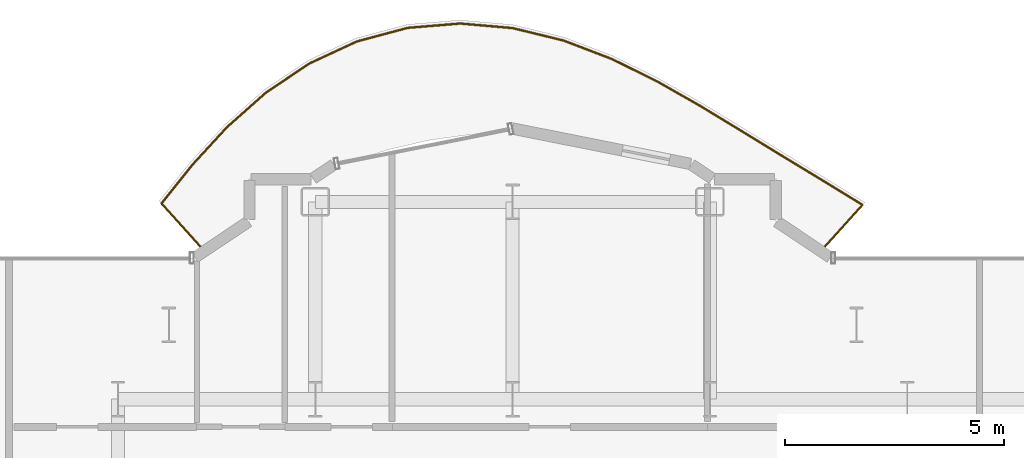
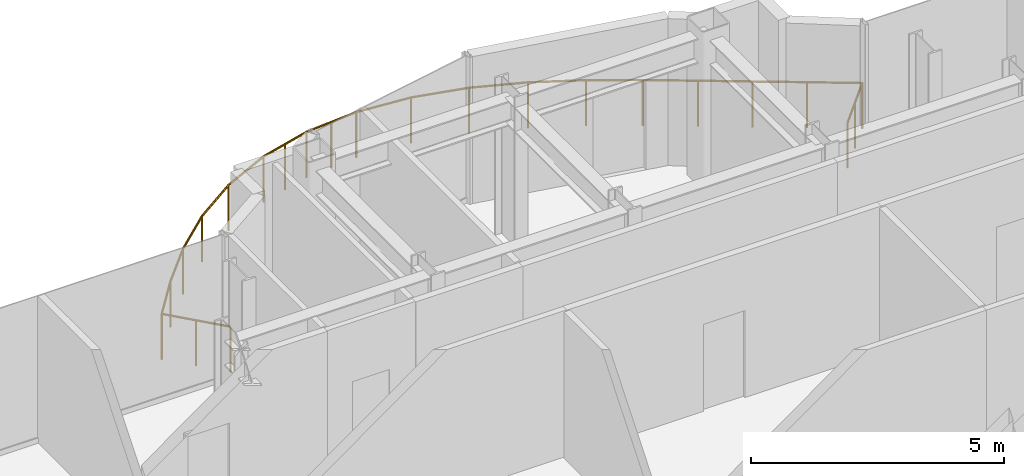
# One storey, part 21 of 21: 1 railing.
"""IFC4 building model written with IfcOpenShell, lengths in metres."""

from ifc_helpers import new_model, si_unit, direction, frame, origin, origin_2d, place, context, subcontext, project, spatial, circle, extrude, material, type_object, element, save


model = new_model("IFC4")

# Units and contexts
model_context = context("Model", 3, precision=1e-05, world=origin(), true_north=direction((0.0, 1.0)))
body_context = subcontext(model_context, "Body", "Model", "MODEL_VIEW")
ifc_project = project(units=[si_unit("LENGTHUNIT", "METRE"), si_unit("AREAUNIT", "SQUARE_METRE"), si_unit("VOLUMEUNIT", "CUBIC_METRE"), si_unit("PLANEANGLEUNIT", "RADIAN"), si_unit("MASSUNIT", "GRAM", prefix="KILO")], contexts=[model_context])

# Site, building, storey
site_placement = place(None, origin())
site = spatial("IfcSite", under=ifc_project, at=site_placement, CompositionType="ELEMENT")
building_placement = place(site_placement, origin())
building = spatial("IfcBuilding", under=site, at=building_placement, Name="Nefas-Gora Pilgrimage Tower", CompositionType="ELEMENT")
storey_placement = place(building_placement, frame((0.0, 0.0, 248.39990234375)))
storey = spatial("IfcBuildingStorey", under=building, at=storey_placement, Name="L62", CompositionType="ELEMENT", Elevation=248.39990234375)

# Railing
ifc_material = material(Name="Laminated safety glass and stainless steel", Category="steel")
railing_type = type_object("IfcRailingType", Name="RLG-BAL-1100", PredefinedType="BALUSTRADE", material=ifc_material)
railing_placement = place(storey_placement, frame((4.802490234375, 21.402587890625, 0.0)))
element("IfcRailing", 1, at=railing_placement, inside=storey, type_object=railing_type, Name="L62 Wave Balcony Balustrade N1", PredefinedType="BALUSTRADE", context=body_context, shape_type="SweptSolid", body=[
    extrude(circle(Radius=0.02392578125, at=origin_2d()), frame((0.0, 0.0, 1.09619140625), z_axis=(0.669217868333, 0.743066245165, 0.0), x_axis=(-0.743066245165, 0.669217868333, 0.0)), (0.0, 0.0, 1.0), 1.38525390625),
    extrude(circle(Radius=0.02392578125, at=origin_2d()), frame((0.927001953125, 1.029296875, 1.09619140625), z_axis=(-0.852658885571, 0.522468013238, 0.0), x_axis=(-0.522468013238, -0.852658885571, 0.0)), (0.0, 0.0, 1.0), 1.095703125),
    extrude(circle(Radius=0.02392578125, at=origin_2d()), frame((-0.00732421875, 1.601806640625, 1.09619140625), z_axis=(-0.855124780813, 0.518422230657, 0.0), x_axis=(-0.518422230657, -0.855124780813, 0.0)), (0.0, 0.0, 1.0), 1.077392578125),
    extrude(circle(Radius=0.02392578125, at=origin_2d()), frame((-0.9287109375, 2.160400390625, 1.09619140625), z_axis=(-0.852777131159, 0.522274989418, 0.0), x_axis=(-0.522274989418, -0.852777131159, 0.0)), (0.0, 0.0, 1.0), 1.076904296875),
    extrude(circle(Radius=0.02392578125, at=origin_2d()), frame((-1.84716796875, 2.722900390625, 1.09619140625), z_axis=(-0.854684994475, 0.519146954358, 0.0), x_axis=(-0.519146954358, -0.854684994475, 0.0)), (0.0, 0.0, 1.0), 1.09423828125),
    extrude(circle(Radius=0.02392578125, at=origin_2d()), frame((-2.782470703125, 3.291015625, 1.09619140625), z_axis=(-0.868857666147, 0.495061971856, 0.0), x_axis=(-0.495061971856, -0.868857666147, 0.0)), (0.0, 0.0, 1.0), 1.123291015625),
    extrude(circle(Radius=0.02392578125, at=origin_2d()), frame((-3.758544921875, 3.84716796875, 1.09619140625), z_axis=(-0.896659173932, 0.442721499142, 0.0), x_axis=(-0.442721499142, -0.896659173932, 0.0)), (0.0, 0.0, 1.0), 1.153564453125),
    extrude(circle(Radius=0.02392578125, at=origin_2d()), frame((-4.79296875, 4.35791015625, 1.09619140625), z_axis=(-0.934122957215, 0.356951398377, 0.0), x_axis=(-0.356951398377, -0.934122957215, 0.0)), (0.0, 0.0, 1.0), 1.178466796875),
    extrude(circle(Radius=0.02392578125, at=origin_2d()), frame((-5.893798828125, 4.778564453125, 1.09619140625), z_axis=(-0.97145249085, 0.237234183922, 0.0), x_axis=(-0.237234183922, -0.97145249085, 0.0)), (0.0, 0.0, 1.0), 1.192626953125),
    extrude(circle(Radius=0.02392578125, at=origin_2d()), frame((-7.052490234375, 5.0615234375, 1.09619140625), z_axis=(-0.99619460159, 0.087156845765, 0.0), x_axis=(-0.087156845765, -0.99619460159, 0.0)), (0.0, 0.0, 1.0), 1.198974609375),
    extrude(circle(Radius=0.02392578125, at=origin_2d()), frame((-8.246826171875, 5.166015625, 1.09619140625), z_axis=(-0.996586307441, -0.082557445587, 0.0), x_axis=(0.082557445587, -0.996586307441, 0.0)), (0.0, 0.0, 1.0), 1.20068359375),
    extrude(circle(Radius=0.02392578125, at=origin_2d()), frame((-9.443359375, 5.06689453125, 1.09619140625), z_axis=(-0.966180913081, -0.257865164763, 0.0), x_axis=(0.257865164763, -0.966180913081, 0.0)), (0.0, 0.0, 1.0), 1.200439453125),
    extrude(circle(Radius=0.02392578125, at=origin_2d()), frame((-10.603271484375, 4.75732421875, 1.09619140625), z_axis=(-0.907111664378, -0.420890043063, 0.0), x_axis=(0.420890043063, -0.907111664378, 0.0)), (0.0, 0.0, 1.0), 1.199462890625),
    extrude(circle(Radius=0.02392578125, at=origin_2d()), frame((-11.69140625, 4.25244140625, 1.09619140625), z_axis=(-0.829780590571, -0.558089752201, 0.0), x_axis=(0.558089752201, -0.829780590571, 0.0)), (0.0, 0.0, 1.0), 1.195068359375),
    extrude(circle(Radius=0.02392578125, at=origin_2d()), frame((-12.68310546875, 3.58544921875, 1.09619140625), z_axis=(-0.748330645695, -0.663325896308, 0.0), x_axis=(0.663325896308, -0.748330645695, 0.0)), (0.0, 0.0, 1.0), 1.183349609375),
    extrude(circle(Radius=0.02392578125, at=origin_2d()), frame((-13.568603515625, 2.800537109375, 1.09619140625), z_axis=(-0.676400344051, -0.736534163883, 0.0), x_axis=(0.736534163883, -0.676400344051, 0.0)), (0.0, 0.0, 1.0), 1.1611328125),
    extrude(circle(Radius=0.02392578125, at=origin_2d()), frame((-14.35400390625, 1.9453125, 1.09619140625), z_axis=(-0.624326656169, -0.781163380092, 0.0), x_axis=(0.781163380092, -0.624326656169, 0.0)), (0.0, 0.0, 1.0), 1.131591796875),
    extrude(circle(Radius=0.02392578125, at=origin_2d()), frame((-15.060546875, 1.061279296875, 1.09619140625), z_axis=(0.669125283262, -0.743149618381, 0.0), x_axis=(0.743149618381, 0.669125283262, 0.0)), (0.0, 0.0, 1.0), 1.427978515625),
    extrude(circle(Radius=0.02099609375, at=origin_2d()), origin(), (0.0, 0.0, 1.0), 1.072021484375),
    extrude(circle(Radius=0.02099609375, at=origin_2d()), frame((0.46337890625, 0.5146484375, 0.0)), (0.0, 0.0, 1.0), 1.072021484375),
    extrude(circle(Radius=0.02099609375, at=origin_2d()), frame((0.927001953125, 1.029296875, 0.0)), (0.0, 0.0, 1.0), 1.072021484375),
    extrude(circle(Radius=0.02099609375, at=origin_2d()), frame((-0.00732421875, 1.601806640625, 0.0)), (0.0, 0.0, 1.0), 1.072021484375),
    extrude(circle(Radius=0.02099609375, at=origin_2d()), frame((-0.9287109375, 2.160400390625, 0.0)), (0.0, 0.0, 1.0), 1.072021484375),
    extrude(circle(Radius=0.02099609375, at=origin_2d()), frame((-1.84716796875, 2.722900390625, 0.0)), (0.0, 0.0, 1.0), 1.072021484375),
    extrude(circle(Radius=0.02099609375, at=origin_2d()), frame((-2.782470703125, 3.291015625, 0.0)), (0.0, 0.0, 1.0), 1.072021484375),
    extrude(circle(Radius=0.02099609375, at=origin_2d()), frame((-3.758544921875, 3.84716796875, 0.0)), (0.0, 0.0, 1.0), 1.072021484375),
    extrude(circle(Radius=0.02099609375, at=origin_2d()), frame((-4.79296875, 4.35791015625, 0.0)), (0.0, 0.0, 1.0), 1.072021484375),
    extrude(circle(Radius=0.02099609375, at=origin_2d()), frame((-5.893798828125, 4.778564453125, 0.0)), (0.0, 0.0, 1.0), 1.072021484375),
    extrude(circle(Radius=0.02099609375, at=origin_2d()), frame((-7.052490234375, 5.0615234375, 0.0)), (0.0, 0.0, 1.0), 1.072021484375),
    extrude(circle(Radius=0.02099609375, at=origin_2d()), frame((-8.246826171875, 5.166015625, 0.0)), (0.0, 0.0, 1.0), 1.072021484375),
    extrude(circle(Radius=0.02099609375, at=origin_2d()), frame((-8.84521484375, 5.116455078125, 0.0)), (0.0, 0.0, 1.0), 1.072021484375),
    extrude(circle(Radius=0.02099609375, at=origin_2d()), frame((-9.443359375, 5.06689453125, 0.0)), (0.0, 0.0, 1.0), 1.072021484375),
    extrude(circle(Radius=0.02099609375, at=origin_2d()), frame((-10.0234375, 4.912109375, 0.0)), (0.0, 0.0, 1.0), 1.072021484375),
    extrude(circle(Radius=0.02099609375, at=origin_2d()), frame((-10.603271484375, 4.75732421875, 0.0)), (0.0, 0.0, 1.0), 1.072021484375),
    extrude(circle(Radius=0.02099609375, at=origin_2d()), frame((-11.69140625, 4.25244140625, 0.0)), (0.0, 0.0, 1.0), 1.072021484375),
    extrude(circle(Radius=0.02099609375, at=origin_2d()), frame((-12.68310546875, 3.58544921875, 0.0)), (0.0, 0.0, 1.0), 1.072021484375),
    extrude(circle(Radius=0.02099609375, at=origin_2d()), frame((-13.568603515625, 2.800537109375, 0.0)), (0.0, 0.0, 1.0), 1.072021484375),
    extrude(circle(Radius=0.02099609375, at=origin_2d()), frame((-14.35400390625, 1.9453125, 0.0)), (0.0, 0.0, 1.0), 1.072021484375),
    extrude(circle(Radius=0.02099609375, at=origin_2d()), frame((-15.060546875, 1.061279296875, 0.0)), (0.0, 0.0, 1.0), 1.072021484375),
    extrude(circle(Radius=0.02099609375, at=origin_2d()), frame((-14.582763671875, 0.53076171875, 0.0)), (0.0, 0.0, 1.0), 1.072021484375),
    extrude(circle(Radius=0.02099609375, at=origin_2d()), frame((-14.10498046875, 0.0, 0.0)), (0.0, 0.0, 1.0), 1.072021484375),
])

save(model, "model.ifc")
